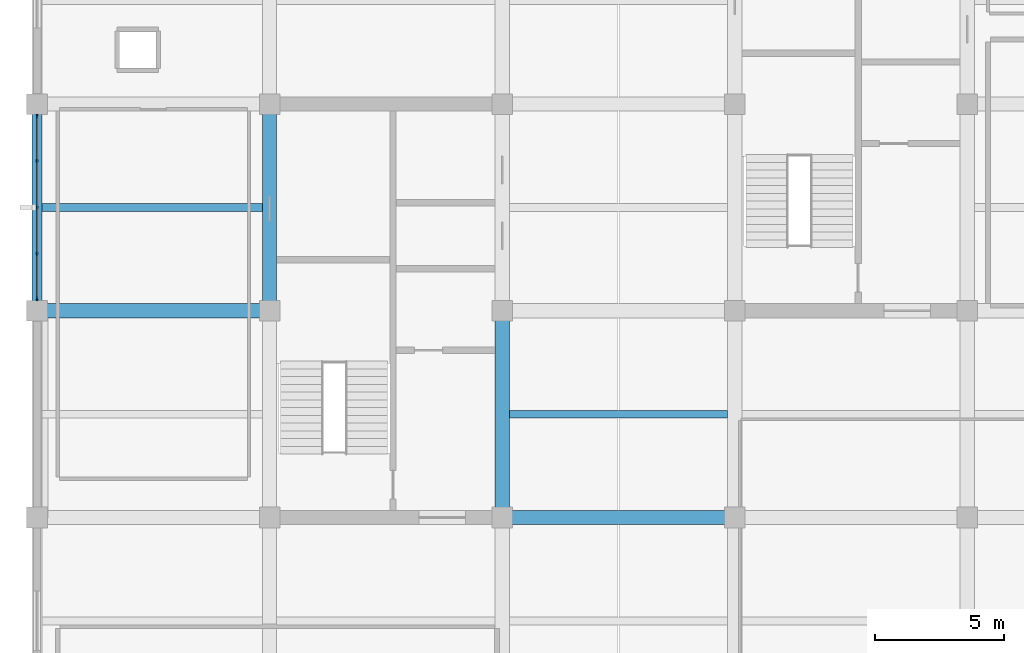
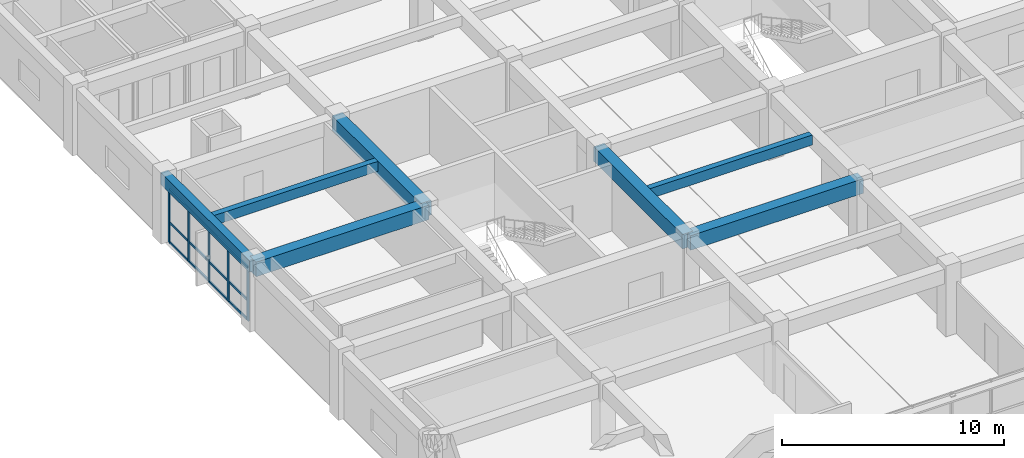
# One storey, part 4 of 16: 8 members, 7 beams, 1 element without a shape of its own.
"""IFC4 building model written with IfcOpenShell, lengths in metres."""

from ifc_helpers import new_model, si_unit, direction, frame, origin, origin_2d, place, context, subcontext, project, spatial, rectangle, extrude, material, material_profile, profile_set, type_object, element, aggregate, save


model = new_model("IFC4")

# Units and contexts
model_context = context("Model", 3, precision=1e-05, world=origin(), true_north=direction((0.0, 1.0)))
body_context = subcontext(model_context, "Body", "Model", "MODEL_VIEW")
ifc_project = project(units=[si_unit("LENGTHUNIT", "METRE"), si_unit("AREAUNIT", "SQUARE_METRE"), si_unit("VOLUMEUNIT", "CUBIC_METRE"), si_unit("PLANEANGLEUNIT", "RADIAN"), si_unit("MASSUNIT", "GRAM", prefix="KILO")], contexts=[model_context])

# Site, building, storey
site_placement = place(None, origin())
site = spatial("IfcSite", under=ifc_project, at=site_placement, CompositionType="ELEMENT")
building_placement = place(site_placement, origin())
building = spatial("IfcBuilding", under=site, at=building_placement, Name="Zaverband Oceanarium and Marine Research Institute", CompositionType="ELEMENT")
storey_placement = place(building_placement, frame((0.0, 0.0, 37.5)))
storey = spatial("IfcBuildingStorey", under=building, at=storey_placement, Name="L09", CompositionType="ELEMENT", Elevation=37.5)

# Beams
ifc_material_1 = material(Name="Concrete C40/50", Category="concrete")
ifc_material_profile_1 = material_profile(ifc_material_1, rectangle(XDim=0.550048828125, YDim=0.800048828125, at=origin_2d()), Name="RC550x800")
ifc_profile_set_1 = profile_set([ifc_material_profile_1], Name="Concrete C40/50")
beam_type_1 = type_object("IfcBeamType", Name="BM-550x800", PredefinedType="BEAM", material=ifc_profile_set_1)
for number, where, z_axis, x_axis, name in (
    (1, (27.0, 80.0, 3.25), (1.0, 0.0, 0.0), (0.0, 1.0, 0.0), "Primary floor girder BM-550x800"),
    (2, (9.0, 88.0, 3.25), (1.0, 0.0, 0.0), (0.0, 1.0, 0.0), "Primary floor girder BM-550x800"),
):
    element("IfcBeam", number, at=place(storey_placement, frame(where, z_axis=z_axis, x_axis=x_axis)), inside=storey, type_object=beam_type_1, Name=name, PredefinedType="BEAM", context=body_context, shape_type="SweptSolid", body=[
        extrude(rectangle(XDim=0.550048828125, YDim=0.800048828125, at=origin_2d()), origin(), (0.0, 0.0, 1.0), 9.0),
    ])
for number, where, z_axis, x_axis, name in (
    (3, (18.0, 88.0, 3.25), (0.0, 1.0, 0.0), (-1.0, 0.0, 0.0), "Primary floor girder BM-550x800"),
    (4, (27.0, 80.0, 3.25), (0.0, 1.0, 0.0), (-1.0, 0.0, 0.0), "Primary floor girder BM-550x800"),
):
    element("IfcBeam", number, at=place(storey_placement, frame(where, z_axis=z_axis, x_axis=x_axis)), inside=storey, type_object=beam_type_1, Name=name, PredefinedType="BEAM", context=body_context, shape_type="SweptSolid", body=[
        extrude(rectangle(XDim=0.550048828125, YDim=0.800048828125, at=origin_2d()), origin(), (0.0, 0.0, 1.0), 8.0),
    ])
ifc_material_profile_2 = material_profile(ifc_material_1, rectangle(XDim=0.300048828125, YDim=0.550048828125, at=origin_2d()), Name="RC300x550")
ifc_profile_set_2 = profile_set([ifc_material_profile_2], Name="Concrete C40/50")
beam_type_2 = type_object("IfcBeamType", Name="JST-300x550", PredefinedType="JOIST", material=ifc_profile_set_2)
beam_1_placement = place(storey_placement, frame((9.199951171875, 92.0, 3.375), z_axis=(1.0, 0.0, 0.0), x_axis=(0.0, 1.0, 0.0)))
element("IfcBeam", 5, at=beam_1_placement, inside=storey, type_object=beam_type_2, Name="Secondary floor joist JST-300x550", PredefinedType="JOIST", context=body_context, shape_type="SweptSolid", body=[
    extrude(rectangle(XDim=0.300048828125, YDim=0.550048828125, at=origin_2d()), origin(), (0.0, 0.0, 1.0), 8.525146484375),
])
beam_2_placement = place(storey_placement, frame((27.27490234375, 84.0, 3.375), z_axis=(1.0, 0.0, 0.0), x_axis=(0.0, 1.0, 0.0)))
element("IfcBeam", 6, at=beam_2_placement, inside=storey, type_object=beam_type_2, Name="Secondary floor joist JST-300x550", PredefinedType="JOIST", context=body_context, shape_type="SweptSolid", body=[
    extrude(rectangle(XDim=0.300048828125, YDim=0.550048828125, at=origin_2d()), origin(), (0.0, 0.0, 1.0), 8.4501953125),
])

# Curtain wall, members
ifc_material_2 = material(Name="Thermally broken anodized aluminium and solar-control glass", Category="aluminium")
curtain_wall_type = type_object("IfcCurtainWallType", Name="CW-UNIT-1800", PredefinedType="NOTDEFINED", material=ifc_material_2)
curtain_wall_placement = place(storey_placement, origin())
curtain_wall = element("IfcCurtainWall", 7, at=curtain_wall_placement, inside=storey, type_object=curtain_wall_type, Name="Unitised glazed curtain wall CW-110", PredefinedType="NOTDEFINED")
ifc_material_3 = material(Name="Thermally broken anodized aluminium", Category="aluminium")
ifc_material_profile_3 = material_profile(ifc_material_3, rectangle(XDim=0.070068359375, YDim=0.14990234375, at=origin_2d()), Name="AL-MUL-70x150")
ifc_profile_set_3 = profile_set([ifc_material_profile_3], Name="Thermally broken anodized aluminium")
member_type_1 = type_object("IfcMemberType", Name="MUL-70x150", PredefinedType="MULLION", material=ifc_profile_set_3)
member_1_placement = place(storey_placement, frame((9.0, 88.465087890625, 0.0), z_axis=(0.0, 0.0, 1.0), x_axis=(1.0, 0.0, 0.0)))
member_1 = element("IfcMember", 8, at=member_1_placement, type_object=member_type_1, Name="Curtain wall vertical mullion MUL-70x150", PredefinedType="MULLION", context=body_context, shape_type="SweptSolid", body=[
    extrude(rectangle(XDim=0.070068359375, YDim=0.14990234375, at=origin_2d()), origin(), (0.0, 0.0, 1.0), 2.97998046875),
])
member_2_placement = place(storey_placement, frame((9.0, 90.202392578125, 0.0), z_axis=(0.0, 0.0, 1.0), x_axis=(1.0, 0.0, 0.0)))
member_2 = element("IfcMember", 9, at=member_2_placement, type_object=member_type_1, Name="Curtain wall vertical mullion MUL-70x150", PredefinedType="MULLION", context=body_context, shape_type="SweptSolid", body=[
    extrude(rectangle(XDim=0.070068359375, YDim=0.14990234375, at=origin_2d()), origin(), (0.0, 0.0, 1.0), 2.97998046875),
])
member_3_placement = place(storey_placement, frame((9.0, 92.0, 0.0), z_axis=(0.0, 0.0, 1.0), x_axis=(1.0, 0.0, 0.0)))
member_3 = element("IfcMember", 10, at=member_3_placement, type_object=member_type_1, Name="Curtain wall vertical mullion MUL-70x150", PredefinedType="MULLION", context=body_context, shape_type="SweptSolid", body=[
    extrude(rectangle(XDim=0.070068359375, YDim=0.14990234375, at=origin_2d()), origin(), (0.0, 0.0, 1.0), 2.97998046875),
])
member_4_placement = place(storey_placement, frame((9.0, 93.797607421875, 0.0), z_axis=(0.0, 0.0, 1.0), x_axis=(1.0, 0.0, 0.0)))
member_4 = element("IfcMember", 11, at=member_4_placement, type_object=member_type_1, Name="Curtain wall vertical mullion MUL-70x150", PredefinedType="MULLION", context=body_context, shape_type="SweptSolid", body=[
    extrude(rectangle(XDim=0.070068359375, YDim=0.14990234375, at=origin_2d()), origin(), (0.0, 0.0, 1.0), 2.97998046875),
])
member_5_placement = place(storey_placement, frame((9.0, 95.534912109375, 0.0), z_axis=(0.0, 0.0, 1.0), x_axis=(1.0, 0.0, 0.0)))
member_5 = element("IfcMember", 12, at=member_5_placement, type_object=member_type_1, Name="Curtain wall vertical mullion MUL-70x150", PredefinedType="MULLION", context=body_context, shape_type="SweptSolid", body=[
    extrude(rectangle(XDim=0.070068359375, YDim=0.14990234375, at=origin_2d()), origin(), (0.0, 0.0, 1.0), 2.97998046875),
])

# Beam
ifc_material_profile_4 = material_profile(ifc_material_1, rectangle(XDim=0.39990234375, YDim=0.64990234375, at=origin_2d()), Name="RC400x650")
ifc_profile_set_4 = profile_set([ifc_material_profile_4], Name="Concrete C40/50")
beam_type_3 = type_object("IfcBeamType", Name="SPN-400x650", PredefinedType="SPANDREL", material=ifc_profile_set_4)
beam_3_placement = place(storey_placement, frame((9.0, 88.0, 3.324951171875), z_axis=(0.0, 1.0, 0.0), x_axis=(-1.0, 0.0, 0.0)))
element("IfcBeam", 13, at=beam_3_placement, inside=storey, type_object=beam_type_3, Name="Perimeter spandrel beam SPN-400x650", PredefinedType="SPANDREL", context=body_context, shape_type="SweptSolid", body=[
    extrude(rectangle(XDim=0.39990234375, YDim=0.64990234375, at=origin_2d()), origin(), (0.0, 0.0, 1.0), 8.0),
])

# Member
ifc_material_profile_5 = material_profile(ifc_material_3, rectangle(XDim=0.070068359375, YDim=0.114990234375, at=origin_2d()), Name="AL-TRN-70x115")
ifc_profile_set_5 = profile_set([ifc_material_profile_5], Name="Thermally broken anodized aluminium")
member_type_2 = type_object("IfcMemberType", Name="TRN-70x115", PredefinedType="USERDEFINED", material=ifc_profile_set_5)
member_6_placement = place(storey_placement, frame((9.0, 88.465087890625, 0.050048828125), z_axis=(0.0, 1.0, 0.0), x_axis=(-1.0, 0.0, 0.0)))
member_6 = element("IfcMember", 14, at=member_6_placement, type_object=member_type_2, Name="Curtain wall horizontal transom TRN-70x115", ObjectType="TRANSOM", PredefinedType="USERDEFINED", context=body_context, shape_type="SweptSolid", body=[
    extrude(rectangle(XDim=0.070068359375, YDim=0.114990234375, at=origin_2d()), origin(), (0.0, 0.0, 1.0), 7.06982421875),
])

member_7_placement = place(storey_placement, frame((9.0, 88.465087890625, 1.123046875), z_axis=(0.0, 1.0, 0.0), x_axis=(-1.0, 0.0, 0.0)))
member_7 = element("IfcMember", 15, at=member_7_placement, type_object=member_type_2, Name="Curtain wall horizontal transom TRN-70x115", ObjectType="TRANSOM", PredefinedType="USERDEFINED", context=body_context, shape_type="SweptSolid", body=[
    extrude(rectangle(XDim=0.070068359375, YDim=0.114990234375, at=origin_2d()), origin(), (0.0, 0.0, 1.0), 7.06982421875),
])

member_8_placement = place(storey_placement, frame((9.0, 88.465087890625, 2.929931640625), z_axis=(0.0, 1.0, 0.0), x_axis=(-1.0, 0.0, 0.0)))
member_8 = element("IfcMember", 16, at=member_8_placement, type_object=member_type_2, Name="Curtain wall horizontal transom TRN-70x115", ObjectType="TRANSOM", PredefinedType="USERDEFINED", context=body_context, shape_type="SweptSolid", body=[
    extrude(rectangle(XDim=0.070068359375, YDim=0.114990234375, at=origin_2d()), origin(), (0.0, 0.0, 1.0), 7.06982421875),
])

aggregate(curtain_wall, [member_1, member_2, member_3, member_4, member_5, member_6, member_7, member_8])

save(model, "model.ifc")
